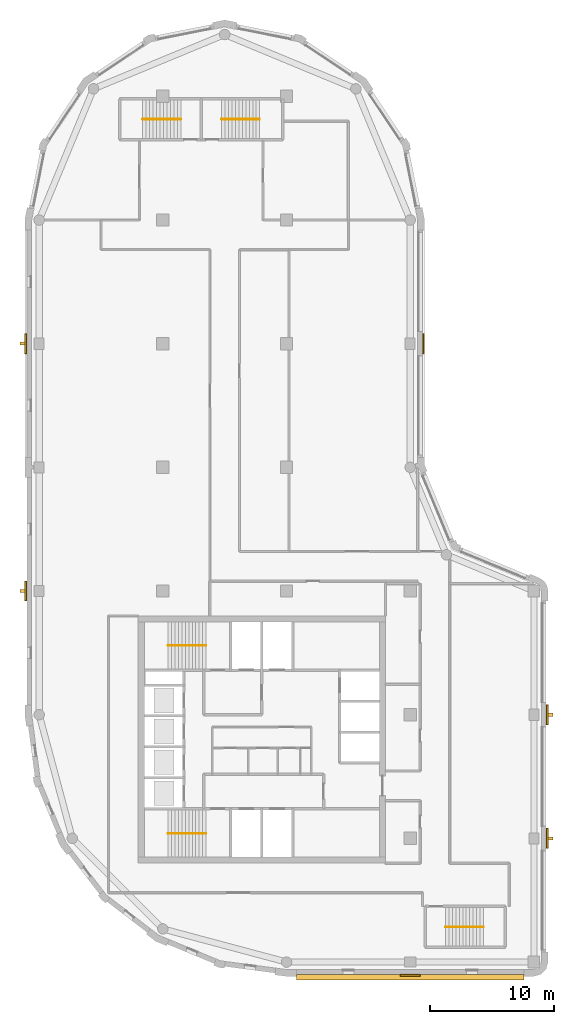
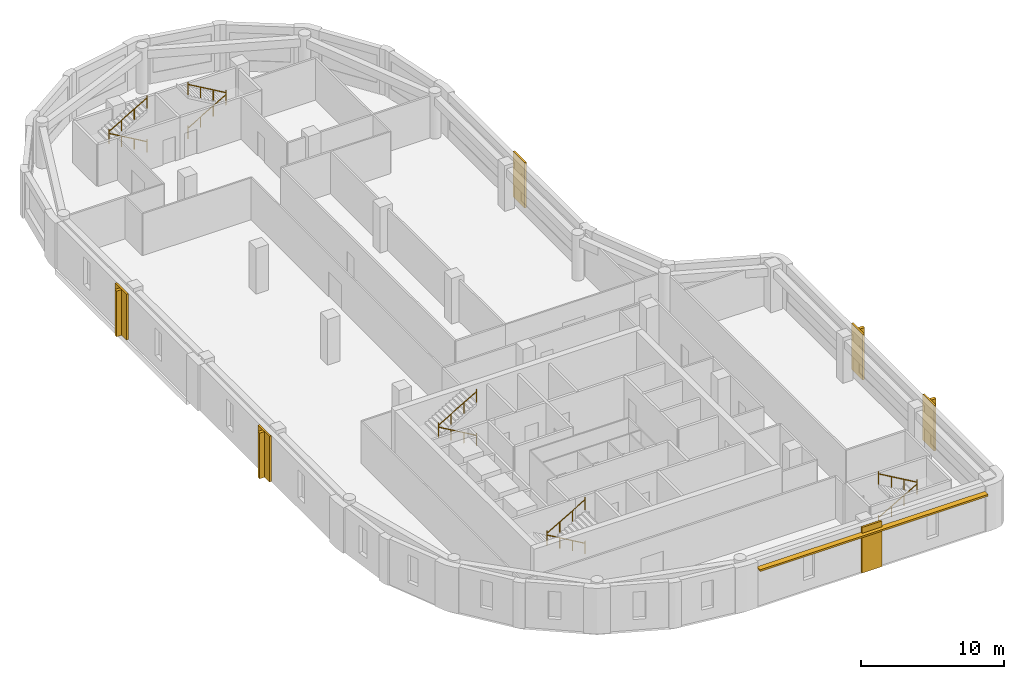
# One storey, part 7 of 8: 10 railings, 6 coverings, 5 shading devices.
"""IFC4 building model written with IfcOpenShell, lengths in metres."""

from ifc_helpers import new_model, si_unit, direction, frame, origin, origin_2d, place, context, subcontext, project, spatial, polyline, rectangle, circle, outline, extrude, material, layer, layer_set, type_object, element, save


model = new_model("IFC4")

# Units and contexts
model_context = context("Model", 3, precision=1e-05, world=origin(), true_north=direction((0.0, 1.0)))
body_context = subcontext(model_context, "Body", "Model", "MODEL_VIEW")
ifc_project = project(units=[si_unit("LENGTHUNIT", "METRE"), si_unit("AREAUNIT", "SQUARE_METRE"), si_unit("VOLUMEUNIT", "CUBIC_METRE"), si_unit("PLANEANGLEUNIT", "RADIAN"), si_unit("MASSUNIT", "GRAM", prefix="KILO")], contexts=[model_context])

# Site, building, storey
site_placement = place(None, origin())
site = spatial("IfcSite", under=ifc_project, at=site_placement, CompositionType="ELEMENT")
building_placement = place(site_placement, origin())
building = spatial("IfcBuilding", under=site, at=building_placement, Name="Qaws Garden Tower", CompositionType="ELEMENT")
storey_placement = place(building_placement, frame((0.0, 0.0, 333.300048828125)))
storey = spatial("IfcBuildingStorey", under=building, at=storey_placement, Name="L81", CompositionType="ELEMENT", Elevation=333.300048828125)

# Coverings
ifc_material_1 = material(Name="Clay facing brick masonry", Category="masonry")
ifc_layer_1 = layer(ifc_material_1, 0.14990234375)
ifc_layer_set_1 = layer_set([ifc_layer_1], Name="Clay facing brick masonry")
covering_type = type_object("IfcCoveringType", Name="Brick pilaster facing 150 x 1600", PredefinedType="CLADDING", material=ifc_layer_set_1)
placement = place(storey_placement, origin())
element("IfcCovering", 1, at=placement, inside=storey, type_object=covering_type, Name="E-L81-pier-01", PredefinedType="CLADDING", context=body_context, shape_type="SweptSolid", body=[
    extrude(outline(polyline([(29.199951171875, -1.0), (30.800048828125, -1.0), (30.800048828125, -1.14990234375), (29.199951171875, -1.14990234375), (29.199951171875, -1.0)])), origin(), (0.0, 0.0, 1.0), 3.89990234375),
])
element("IfcCovering", 2, at=placement, inside=storey, type_object=covering_type, Name="E-L81-pier-03", PredefinedType="CLADDING", context=body_context, shape_type="SweptSolid", body=[
    extrude(outline(polyline([(41.0, 9.199951171875), (41.0, 10.800048828125), (41.14990234375, 10.800048828125), (41.14990234375, 9.199951171875), (41.0, 9.199951171875)])), origin(), (0.0, 0.0, 1.0), 3.89990234375),
])
element("IfcCovering", 3, at=placement, inside=storey, type_object=covering_type, Name="E-L81-pier-04", PredefinedType="CLADDING", context=body_context, shape_type="SweptSolid", body=[
    extrude(outline(polyline([(41.0, 19.199951171875), (41.0, 20.800048828125), (41.14990234375, 20.800048828125), (41.14990234375, 19.199951171875), (41.0, 19.199951171875)])), origin(), (0.0, 0.0, 1.0), 3.89990234375),
])
element("IfcCovering", 4, at=placement, inside=storey, type_object=covering_type, Name="E-L81-pier-08", PredefinedType="CLADDING", context=body_context, shape_type="SweptSolid", body=[
    extrude(outline(polyline([(31.0, 49.199951171875), (31.0, 50.800048828125), (31.14990234375, 50.800048828125), (31.14990234375, 49.199951171875), (31.0, 49.199951171875)])), origin(), (0.0, 0.0, 1.0), 3.89990234375),
])
element("IfcCovering", 5, at=placement, inside=storey, type_object=covering_type, Name="E-L81-pier-18", PredefinedType="CLADDING", context=body_context, shape_type="SweptSolid", body=[
    extrude(outline(polyline([(-1.0, 50.800048828125), (-1.0, 49.199951171875), (-1.14990234375, 49.199951171875), (-1.14990234375, 50.800048828125), (-1.0, 50.800048828125)])), origin(), (0.0, 0.0, 1.0), 3.89990234375),
])
element("IfcCovering", 6, at=placement, inside=storey, type_object=covering_type, Name="E-L81-pier-20", PredefinedType="CLADDING", context=body_context, shape_type="SweptSolid", body=[
    extrude(outline(polyline([(-1.0, 30.800048828125), (-1.0, 29.199951171875), (-1.14990234375, 29.199951171875), (-1.14990234375, 30.800048828125), (-1.0, 30.800048828125)])), origin(), (0.0, 0.0, 1.0), 3.89990234375),
])

# Shading devices
ifc_material_2 = material(Name="Clay facing brick masonry", Category="masonry")
ifc_layer_2 = layer(ifc_material_2, 0.14990234375)
ifc_layer_set_2 = layer_set([ifc_layer_2], Name="Clay facing brick masonry")
shading_device_type_1 = type_object("IfcShadingDeviceType", Name="Brick sunshade band 450 x 150", PredefinedType="JALOUSIE", material=ifc_layer_set_2)
shading_device_placement = place(storey_placement, frame((0.0, 0.0, 3.25)))
element("IfcShadingDevice", 7, at=shading_device_placement, inside=storey, type_object=shading_device_type_1, Name="SUNSHADE 00", PredefinedType="JALOUSIE", context=body_context, shape_type="SweptSolid", body=[
    extrude(outline(polyline([(20.800048828125, -1.0), (20.800048828125, -1.449951171875), (39.199951171875, -1.449951171875), (39.199951171875, -1.0), (30.800048828125, -1.0), (30.800048828125, -1.14990234375), (29.199951171875, -1.14990234375), (29.199951171875, -1.0), (20.800048828125, -1.0)])), origin(), (0.0, 0.0, 1.0), 0.14990234375),
])
ifc_material_3 = material(Name="Clay facing brick masonry", Category="masonry")
ifc_layer_3 = layer(ifc_material_3, 0.25)
ifc_layer_set_3 = layer_set([ifc_layer_3], Name="Clay facing brick masonry")
shading_device_type_2 = type_object("IfcShadingDeviceType", Name="Brick-faced fin 250 x 400", PredefinedType="USERDEFINED", material=ifc_layer_set_3)
for number, where, z_axis, x_axis, name in (
    (8, (41.35009765625, 10.0, 0.0), (0.0, 0.0, 1.0), (0.0, 1.0, 0.0), "FIN 03"),
    (9, (41.35009765625, 20.0, 0.0), (0.0, 0.0, 1.0), (0.0, 1.0, 0.0), "FIN 04"),
    (10, (-1.35009765625, 50.0, 0.0), (0.0, 0.0, 1.0), (0.0, -1.0, 0.0), "FIN 18"),
    (11, (-1.35009765625, 30.0, 0.0), (0.0, 0.0, 1.0), (0.0, -1.0, 0.0), "FIN 20"),
):
    element("IfcShadingDevice", number, at=place(storey_placement, frame(where, z_axis=z_axis, x_axis=x_axis)), inside=storey, type_object=shading_device_type_2, Name=name, ObjectType="FIN", PredefinedType="USERDEFINED", context=body_context, shape_type="SweptSolid", body=[
        extrude(rectangle(XDim=0.25, YDim=0.39990234375, at=origin_2d()), origin(), (0.0, 0.0, 1.0), 3.89990234375),
    ])

# Railings
ifc_material_4 = material(Name="Steel S355", Category="steel")
railing_type = type_object("IfcRailingType", Name="Stair handrail 900", PredefinedType="HANDRAIL", material=ifc_material_4)
railing_1_placement = place(storey_placement, frame((13.5, 10.39990234375, 0.162353515625)))
element("IfcRailing", 12, at=railing_1_placement, inside=storey, type_object=railing_type, Name="Stair 1 handrail", PredefinedType="HANDRAIL", context=body_context, shape_type="SweptSolid", body=[
    extrude(circle(Radius=0.02392578125, at=origin_2d()), frame((0.0, 0.0, 0.8759765625), z_axis=(-0.864890721111, 0.0, 0.501960198159), x_axis=(0.0, -1.0, 0.0)), (0.0, 0.0, 1.0), 3.561279296875),
    extrude(circle(Radius=0.02099609375, at=origin_2d()), origin(), (0.0, 0.0, 1.0), 1.06201171875),
    extrude(circle(Radius=0.02099609375, at=origin_2d()), frame((-1.026611328125, 0.0, 0.595947265625)), (0.0, 0.0, 1.0), 0.851806640625),
    extrude(circle(Radius=0.02099609375, at=origin_2d()), frame((-2.053466796875, 0.0, 1.191650390625)), (0.0, 0.0, 1.0), 0.851806640625),
    extrude(circle(Radius=0.02099609375, at=origin_2d()), frame((-3.080078125, 0.0, 1.78759765625)), (0.0, 0.0, 1.0), 1.06201171875),
])
railing_2_placement = place(storey_placement, frame((10.419921875, 10.39990234375, 2.112548828125)))
element("IfcRailing", 13, at=railing_2_placement, inside=storey, type_object=railing_type, Name="Stair 1 handrail", PredefinedType="HANDRAIL", context=body_context, shape_type="SweptSolid", body=[
    extrude(circle(Radius=0.02392578125, at=origin_2d()), frame((0.0, 0.0, 0.8759765625), z_axis=(0.864920483161, 0.0, 0.501908913857), x_axis=(0.0, 1.0, 0.0)), (0.0, 0.0, 1.0), 3.56103515625),
    extrude(circle(Radius=0.02099609375, at=origin_2d()), origin(), (0.0, 0.0, 1.0), 1.06201171875),
    extrude(circle(Radius=0.02099609375, at=origin_2d()), frame((1.026611328125, 0.0, 0.595703125)), (0.0, 0.0, 1.0), 0.851806640625),
    extrude(circle(Radius=0.02099609375, at=origin_2d()), frame((2.053466796875, 0.0, 1.191650390625)), (0.0, 0.0, 1.0), 0.851806640625),
    extrude(circle(Radius=0.02099609375, at=origin_2d()), frame((3.080078125, 0.0, 1.787353515625)), (0.0, 0.0, 1.0), 1.06201171875),
])
railing_3_placement = place(storey_placement, frame((13.5, 25.60009765625, 0.162353515625)))
element("IfcRailing", 14, at=railing_3_placement, inside=storey, type_object=railing_type, Name="Stair 4 handrail", PredefinedType="HANDRAIL", context=body_context, shape_type="SweptSolid", body=[
    extrude(circle(Radius=0.02392578125, at=origin_2d()), frame((0.0, 0.0, 0.8759765625), z_axis=(-0.864890721111, 0.0, 0.501960198159), x_axis=(0.0, -1.0, 0.0)), (0.0, 0.0, 1.0), 3.561279296875),
    extrude(circle(Radius=0.02099609375, at=origin_2d()), origin(), (0.0, 0.0, 1.0), 1.06201171875),
    extrude(circle(Radius=0.02099609375, at=origin_2d()), frame((-1.026611328125, 0.0, 0.595947265625)), (0.0, 0.0, 1.0), 0.851806640625),
    extrude(circle(Radius=0.02099609375, at=origin_2d()), frame((-2.053466796875, 0.0, 1.191650390625)), (0.0, 0.0, 1.0), 0.851806640625),
    extrude(circle(Radius=0.02099609375, at=origin_2d()), frame((-3.080078125, 0.0, 1.78759765625)), (0.0, 0.0, 1.0), 1.06201171875),
])
railing_4_placement = place(storey_placement, frame((10.419921875, 25.60009765625, 2.112548828125)))
element("IfcRailing", 15, at=railing_4_placement, inside=storey, type_object=railing_type, Name="Stair 4 handrail", PredefinedType="HANDRAIL", context=body_context, shape_type="SweptSolid", body=[
    extrude(circle(Radius=0.02392578125, at=origin_2d()), frame((0.0, 0.0, 0.8759765625), z_axis=(0.864920483161, 0.0, 0.501908913857), x_axis=(0.0, 1.0, 0.0)), (0.0, 0.0, 1.0), 3.56103515625),
    extrude(circle(Radius=0.02099609375, at=origin_2d()), origin(), (0.0, 0.0, 1.0), 1.06201171875),
    extrude(circle(Radius=0.02099609375, at=origin_2d()), frame((1.026611328125, 0.0, 0.595703125)), (0.0, 0.0, 1.0), 0.851806640625),
    extrude(circle(Radius=0.02099609375, at=origin_2d()), frame((2.053466796875, 0.0, 1.191650390625)), (0.0, 0.0, 1.0), 0.851806640625),
    extrude(circle(Radius=0.02099609375, at=origin_2d()), frame((3.080078125, 0.0, 1.787353515625)), (0.0, 0.0, 1.0), 1.06201171875),
])
railing_5_placement = place(storey_placement, frame((32.85009765625, 2.85009765625, 0.162353515625)))
element("IfcRailing", 16, at=railing_5_placement, inside=storey, type_object=railing_type, Name="Stair 5 handrail", PredefinedType="HANDRAIL", context=body_context, shape_type="SweptSolid", body=[
    extrude(circle(Radius=0.02392578125, at=origin_2d()), frame((0.0, 0.0, 0.8759765625), z_axis=(0.864873446163, 0.0, 0.501989962173), x_axis=(0.0, 1.0, 0.0)), (0.0, 0.0, 1.0), 3.56103515625),
    extrude(circle(Radius=0.02099609375, at=origin_2d()), origin(), (0.0, 0.0, 1.0), 1.06201171875),
    extrude(circle(Radius=0.02099609375, at=origin_2d()), frame((1.026611328125, 0.0, 0.595947265625)), (0.0, 0.0, 1.0), 0.851806640625),
    extrude(circle(Radius=0.02099609375, at=origin_2d()), frame((2.05322265625, 0.0, 1.191650390625)), (0.0, 0.0, 1.0), 0.851806640625),
    extrude(circle(Radius=0.02099609375, at=origin_2d()), frame((3.079833984375, 0.0, 1.78759765625)), (0.0, 0.0, 1.0), 1.06201171875),
])
railing_6_placement = place(storey_placement, frame((35.929931640625, 2.85009765625, 2.112548828125)))
element("IfcRailing", 17, at=railing_6_placement, inside=storey, type_object=railing_type, Name="Stair 5 handrail", PredefinedType="HANDRAIL", context=body_context, shape_type="SweptSolid", body=[
    extrude(circle(Radius=0.02392578125, at=origin_2d()), frame((0.0, 0.0, 0.8759765625), z_axis=(-0.864903211148, 0.0, 0.501938676878), x_axis=(0.0, -1.0, 0.0)), (0.0, 0.0, 1.0), 3.560791015625),
    extrude(circle(Radius=0.02099609375, at=origin_2d()), origin(), (0.0, 0.0, 1.0), 1.06201171875),
    extrude(circle(Radius=0.02099609375, at=origin_2d()), frame((-1.026611328125, 0.0, 0.595703125)), (0.0, 0.0, 1.0), 0.851806640625),
    extrude(circle(Radius=0.02099609375, at=origin_2d()), frame((-2.05322265625, 0.0, 1.191650390625)), (0.0, 0.0, 1.0), 0.851806640625),
    extrude(circle(Radius=0.02099609375, at=origin_2d()), frame((-3.079833984375, 0.0, 1.787353515625)), (0.0, 0.0, 1.0), 1.06201171875),
])
railing_7_placement = place(storey_placement, frame((11.449951171875, 68.14990234375, 0.162353515625)))
element("IfcRailing", 18, at=railing_7_placement, inside=storey, type_object=railing_type, Name="Stair 6 handrail", PredefinedType="HANDRAIL", context=body_context, shape_type="SweptSolid", body=[
    extrude(circle(Radius=0.02392578125, at=origin_2d()), frame((0.0, 0.0, 0.8759765625), z_axis=(-0.864873446163, 0.0, 0.501989962173), x_axis=(0.0, -1.0, 0.0)), (0.0, 0.0, 1.0), 3.56103515625),
    extrude(circle(Radius=0.02099609375, at=origin_2d()), origin(), (0.0, 0.0, 1.0), 1.06201171875),
    extrude(circle(Radius=0.02099609375, at=origin_2d()), frame((-1.026611328125, 0.0, 0.595947265625)), (0.0, 0.0, 1.0), 0.851806640625),
    extrude(circle(Radius=0.02099609375, at=origin_2d()), frame((-2.05322265625, 0.0, 1.191650390625)), (0.0, 0.0, 1.0), 0.851806640625),
    extrude(circle(Radius=0.02099609375, at=origin_2d()), frame((-3.079833984375, 0.0, 1.78759765625)), (0.0, 0.0, 1.0), 1.06201171875),
])
railing_8_placement = place(storey_placement, frame((8.3701171875, 68.14990234375, 2.112548828125)))
element("IfcRailing", 19, at=railing_8_placement, inside=storey, type_object=railing_type, Name="Stair 6 handrail", PredefinedType="HANDRAIL", context=body_context, shape_type="SweptSolid", body=[
    extrude(circle(Radius=0.02392578125, at=origin_2d()), frame((0.0, 0.0, 0.8759765625), z_axis=(0.864903211148, 0.0, 0.501938676878), x_axis=(0.0, 1.0, 0.0)), (0.0, 0.0, 1.0), 3.560791015625),
    extrude(circle(Radius=0.02099609375, at=origin_2d()), origin(), (0.0, 0.0, 1.0), 1.06201171875),
    extrude(circle(Radius=0.02099609375, at=origin_2d()), frame((1.026611328125, 0.0, 0.595703125)), (0.0, 0.0, 1.0), 0.851806640625),
    extrude(circle(Radius=0.02099609375, at=origin_2d()), frame((2.05322265625, 0.0, 1.191650390625)), (0.0, 0.0, 1.0), 0.851806640625),
    extrude(circle(Radius=0.02099609375, at=origin_2d()), frame((3.079833984375, 0.0, 1.787353515625)), (0.0, 0.0, 1.0), 1.06201171875),
])
railing_9_placement = place(storey_placement, frame((14.75, 68.14990234375, 0.162353515625)))
element("IfcRailing", 20, at=railing_9_placement, inside=storey, type_object=railing_type, Name="Stair 7 handrail", PredefinedType="HANDRAIL", context=body_context, shape_type="SweptSolid", body=[
    extrude(circle(Radius=0.02392578125, at=origin_2d()), frame((0.0, 0.0, 0.8759765625), z_axis=(0.864890721111, 0.0, 0.501960198159), x_axis=(0.0, 1.0, 0.0)), (0.0, 0.0, 1.0), 3.561279296875),
    extrude(circle(Radius=0.02099609375, at=origin_2d()), origin(), (0.0, 0.0, 1.0), 1.06201171875),
    extrude(circle(Radius=0.02099609375, at=origin_2d()), frame((1.026611328125, 0.0, 0.595947265625)), (0.0, 0.0, 1.0), 0.851806640625),
    extrude(circle(Radius=0.02099609375, at=origin_2d()), frame((2.053466796875, 0.0, 1.191650390625)), (0.0, 0.0, 1.0), 0.851806640625),
    extrude(circle(Radius=0.02099609375, at=origin_2d()), frame((3.080078125, 0.0, 1.78759765625)), (0.0, 0.0, 1.0), 1.06201171875),
])
railing_10_placement = place(storey_placement, frame((17.830078125, 68.14990234375, 2.112548828125)))
element("IfcRailing", 21, at=railing_10_placement, inside=storey, type_object=railing_type, Name="Stair 7 handrail", PredefinedType="HANDRAIL", context=body_context, shape_type="SweptSolid", body=[
    extrude(circle(Radius=0.02392578125, at=origin_2d()), frame((0.0, 0.0, 0.8759765625), z_axis=(-0.864920483161, 0.0, 0.501908913857), x_axis=(0.0, -1.0, 0.0)), (0.0, 0.0, 1.0), 3.56103515625),
    extrude(circle(Radius=0.02099609375, at=origin_2d()), origin(), (0.0, 0.0, 1.0), 1.06201171875),
    extrude(circle(Radius=0.02099609375, at=origin_2d()), frame((-1.026611328125, 0.0, 0.595703125)), (0.0, 0.0, 1.0), 0.851806640625),
    extrude(circle(Radius=0.02099609375, at=origin_2d()), frame((-2.053466796875, 0.0, 1.191650390625)), (0.0, 0.0, 1.0), 0.851806640625),
    extrude(circle(Radius=0.02099609375, at=origin_2d()), frame((-3.080078125, 0.0, 1.787353515625)), (0.0, 0.0, 1.0), 1.06201171875),
])

save(model, "model.ifc")
